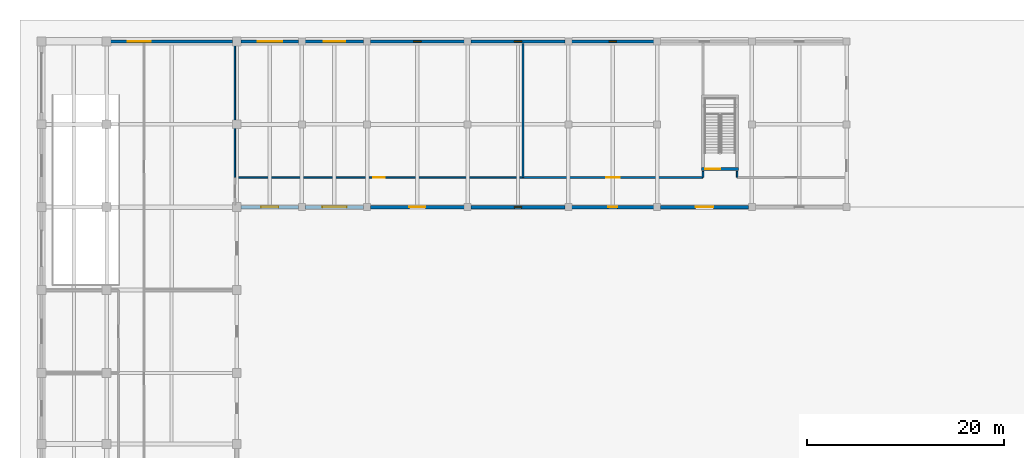
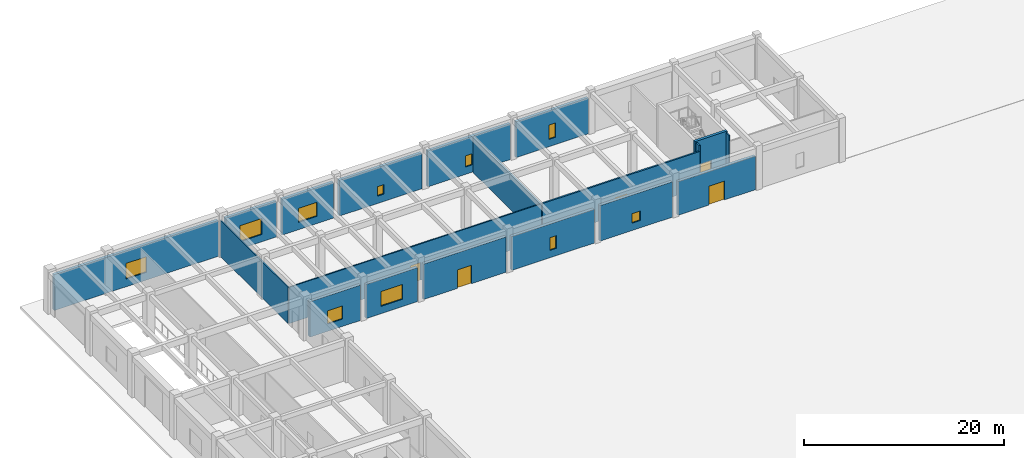
# One storey, part 54 of 70: 19 walls, 10 windows, 5 doors, 15 openings.
"""IFC4 building model written with IfcOpenShell, lengths in metres."""

from ifc_helpers import new_model, si_unit, direction, frame, frame_2d, origin, place, context, subcontext, project, spatial, rectangle, extrude, material, layer, layer_set, type_object, element, fill, save


model = new_model("IFC4")

# Units and contexts
model_context = context("Model", 3, precision=1e-05, world=origin(), true_north=direction((0.0, 1.0)))
body_context = subcontext(model_context, "Body", "Model", "MODEL_VIEW")
ifc_project = project(units=[si_unit("LENGTHUNIT", "METRE"), si_unit("AREAUNIT", "SQUARE_METRE"), si_unit("VOLUMEUNIT", "CUBIC_METRE"), si_unit("PLANEANGLEUNIT", "RADIAN"), si_unit("MASSUNIT", "GRAM", prefix="KILO")], contexts=[model_context])

# Site, building, storey
site_placement = place(None, origin())
site = spatial("IfcSite", under=ifc_project, at=site_placement, CompositionType="ELEMENT")
building_placement = place(site_placement, origin())
building = spatial("IfcBuilding", under=site, at=building_placement, Name="Miralva Faculty of Natural Sciences", CompositionType="ELEMENT")
storey_placement = place(building_placement, origin())
storey = spatial("IfcBuildingStorey", under=building, at=storey_placement, Name="L00", CompositionType="ELEMENT", Elevation=0.0)

# Wall, opening, door
ifc_material_1 = material(Name="Concrete C40/50", Category="concrete")
ifc_layer_1 = layer(ifc_material_1, 0.300048828125, Name="WL-CW03")
ifc_layer_set_1 = layer_set([ifc_layer_1], Name="Concrete C40/50")
wall_type_1 = type_object("IfcWallType", Name="WL-CW03", PredefinedType="SHEAR", material=ifc_layer_set_1)
wall_1_placement = place(storey_placement, frame((69.89990234375, 104.050048828125, 0.0), z_axis=(0.0, 0.0, 1.0), x_axis=(1.0, 0.0, 0.0)))
wall_1 = element("IfcWall", 1, at=wall_1_placement, inside=storey, type_object=wall_type_1, Name="Core C5 shear wall south L00", PredefinedType="SHEAR", context=body_context, shape_type="SweptSolid", body=[
    extrude(rectangle(XDim=3.75, YDim=0.300048828125, at=frame_2d((1.875, 0.0))), origin(), (0.0, 0.0, 1.0), 5.179931640625),
])
opening_1_placement = place(wall_1_placement, frame((0.39990234375, 0.0, 0.0)))
opening_1 = element("IfcOpeningElement", 2, at=opening_1_placement, cuts=wall_1, Name="Opening D-11", PredefinedType="OPENING", context=body_context, shape_type="SweptSolid", body=[
    extrude(rectangle(XDim=1.5, YDim=2.199951171875, at=frame_2d((0.75, 1.10009765625))), frame((0.0, 0.159912109375, 0.0), z_axis=(0.0, -1.0, 0.0), x_axis=(1.0, 0.0, 0.0)), (0.0, 0.0, 1.0), 0.320068359375),
])
ifc_material_2 = material(Name="Galvanised steel", Category="steel")
door_type_1 = type_object("IfcDoorType", Name="DR-DI11", OperationType="DOUBLE_DOOR_SINGLE_SWING", PredefinedType="DOOR", material=ifc_material_2)
door_1_placement = place(opening_1_placement, frame((1.5, 0.0, 0.0), z_axis=(0.0, 0.0, 1.0), x_axis=(-1.0, 0.0, 0.0)))
door_1 = element("IfcDoor", 3, at=door_1_placement, inside=storey, type_object=door_type_1, Name="Protected exit stair door Core C5 L00", OperationType="DOUBLE_DOOR_SINGLE_SWING", OverallHeight=2.199951171875, OverallWidth=1.5, PredefinedType="DOOR", context=body_context, shape_type="SweptSolid", body=[
    extrude(rectangle(XDim=1.5, YDim=2.199951171875, at=frame_2d((0.75, 1.10009765625))), frame((0.0, 0.02490234375, 0.0), z_axis=(0.0, -1.0, 0.0), x_axis=(1.0, 0.0, 0.0)), (0.0, 0.0, 1.0), 0.050048828125),
])
fill(opening_1, door_1)

# Walls
ifc_material_3 = material(Name="Gypsum plasterboard")
ifc_layer_2 = layer(ifc_material_3, 0.179931640625, Name="WL-PT02")
ifc_layer_set_2 = layer_set([ifc_layer_2], Name="Gypsum plasterboard")
wall_type_2 = type_object("IfcWallType", Name="WL-PT02", PredefinedType="PARTITIONING", material=ifc_layer_set_2)
wall_2_placement = place(storey_placement, frame((51.800048828125, 103.22998046875, 0.0), z_axis=(0.0, 0.0, 1.0), x_axis=(0.0, 1.0, 0.0)))
element("IfcWall", 4, at=wall_2_placement, inside=storey, type_object=wall_type_2, Name="Interior partition PT-02 L00-144", PredefinedType="PARTITIONING", context=body_context, shape_type="SweptSolid", body=[
    extrude(rectangle(XDim=13.5400390625, YDim=0.179931640625, at=frame_2d((6.77001953125, 0.0))), origin(), (0.0, 0.0, 1.0), 4.31494140625),
])
wall_3_placement = place(storey_placement, frame((70.050048828125, 103.22998046875, 0.0), z_axis=(0.0, 0.0, 1.0), x_axis=(0.0, 1.0, 0.0)))
element("IfcWall", 5, at=wall_3_placement, inside=storey, type_object=wall_type_2, Name="Interior partition PT-02 L00-147", PredefinedType="PARTITIONING", context=body_context, shape_type="SweptSolid", body=[
    extrude(rectangle(XDim=0.590087890625, YDim=0.179931640625, at=frame_2d((0.294921875, 0.0))), origin(), (0.0, 0.0, 1.0), 5.080078125),
])

# Wall, opening, door
wall_4_placement = place(storey_placement, frame((51.830078125, 103.199951171875, 0.0), z_axis=(0.0, 0.0, 1.0), x_axis=(1.0, 0.0, 0.0)))
wall_4 = element("IfcWall", 6, at=wall_4_placement, inside=storey, type_object=wall_type_2, Name="Interior partition PT-02 L00-148", PredefinedType="PARTITIONING", context=body_context, shape_type="SweptSolid", body=[
    extrude(rectangle(XDim=18.18994140625, YDim=0.179931640625, at=frame_2d((9.094970703125, 0.0))), origin(), (0.0, 0.0, 1.0), 4.425048828125),
])
opening_2_placement = place(wall_4_placement, frame((8.39501953125, 0.0, 0.0)))
opening_2 = element("IfcOpeningElement", 7, at=opening_2_placement, cuts=wall_4, Name="Opening D-14", PredefinedType="OPENING", context=body_context, shape_type="SweptSolid", body=[
    extrude(rectangle(XDim=1.39990234375, YDim=2.199951171875, at=frame_2d((0.699951171875, 1.10009765625))), frame((0.0, 0.099853515625, 0.0), z_axis=(0.0, -1.0, 0.0), x_axis=(1.0, 0.0, 0.0)), (0.0, 0.0, 1.0), 0.199951171875),
])
door_type_2 = type_object("IfcDoorType", Name="DR-DI14", OperationType="DOUBLE_DOOR_SINGLE_SWING", PredefinedType="DOOR", material=ifc_material_2)
door_2_placement = place(opening_2_placement, origin())
door_2 = element("IfcDoor", 8, at=door_2_placement, inside=storey, type_object=door_type_2, Name="Interior door D-14 L00-56", OperationType="DOUBLE_DOOR_SINGLE_SWING", OverallHeight=2.199951171875, OverallWidth=1.39990234375, PredefinedType="DOOR", context=body_context, shape_type="SweptSolid", body=[
    extrude(rectangle(XDim=1.39990234375, YDim=2.199951171875, at=frame_2d((0.699951171875, 1.10009765625))), frame((0.0, 0.02490234375, 0.0), z_axis=(0.0, -1.0, 0.0), x_axis=(1.0, 0.0, 0.0)), (0.0, 0.0, 1.0), 0.050048828125),
])
fill(opening_2, door_2)

# Wall
ifc_layer_3 = layer(ifc_material_3, 0.139892578125, Name="WL-PT04")
ifc_layer_set_3 = layer_set([ifc_layer_3], Name="Gypsum plasterboard")
wall_type_3 = type_object("IfcWallType", Name="WL-PT04", PredefinedType="PARTITIONING", material=ifc_layer_set_3)
wall_5_placement = place(storey_placement, frame((22.60009765625, 103.22998046875, 0.0), z_axis=(0.0, 0.0, 1.0), x_axis=(0.0, 1.0, 0.0)))
element("IfcWall", 9, at=wall_5_placement, inside=storey, type_object=wall_type_3, Name="Interior partition PT-04 L00-142", PredefinedType="PARTITIONING", context=body_context, shape_type="SweptSolid", body=[
    extrude(rectangle(XDim=13.5400390625, YDim=0.139892578125, at=frame_2d((6.77001953125, 0.0))), origin(), (0.0, 0.0, 1.0), 4.425048828125),
])

# Wall, opening, door
wall_6_placement = place(storey_placement, frame((22.6298828125, 103.199951171875, 0.0), z_axis=(0.0, 0.0, 1.0), x_axis=(1.0, 0.0, 0.0)))
wall_6 = element("IfcWall", 10, at=wall_6_placement, inside=storey, type_object=wall_type_3, Name="Interior partition PT-04 L00-145", PredefinedType="PARTITIONING", context=body_context, shape_type="SweptSolid", body=[
    extrude(rectangle(XDim=29.14013671875, YDim=0.139892578125, at=frame_2d((14.570068359375, 0.0))), origin(), (0.0, 0.0, 1.0), 4.425048828125),
])
opening_3_placement = place(wall_6_placement, frame((13.9951171875, 0.0, 0.0)))
opening_3 = element("IfcOpeningElement", 11, at=opening_3_placement, cuts=wall_6, Name="Opening D-24", PredefinedType="OPENING", context=body_context, shape_type="SweptSolid", body=[
    extrude(rectangle(XDim=1.14990234375, YDim=2.14990234375, at=frame_2d((0.574951171875, 1.074951171875))), frame((0.0, 0.079833984375, 0.0), z_axis=(0.0, -1.0, 0.0), x_axis=(1.0, 0.0, 0.0)), (0.0, 0.0, 1.0), 0.159912109375),
])
ifc_material_4 = material(Name="Anodised aluminium", Category="aluminium")
door_type_3 = type_object("IfcDoorType", Name="DR-DI24", OperationType="NOTDEFINED", PredefinedType="DOOR", material=ifc_material_4)
door_3_placement = place(opening_3_placement, origin())
door_3 = element("IfcDoor", 12, at=door_3_placement, inside=storey, type_object=door_type_3, Name="Interior door D-24 L00-55", OperationType="SINGLE_SWING_RIGHT", OverallHeight=2.14990234375, OverallWidth=1.14990234375, PredefinedType="DOOR", context=body_context, shape_type="SweptSolid", body=[
    extrude(rectangle(XDim=1.14990234375, YDim=2.14990234375, at=frame_2d((0.574951171875, 1.074951171875))), frame((0.0, 0.02490234375, 0.0), z_axis=(0.0, -1.0, 0.0), x_axis=(1.0, 0.0, 0.0)), (0.0, 0.0, 1.0), 0.050048828125),
])
fill(opening_3, door_3)

# Wall
wall_7_placement = place(storey_placement, frame((73.5, 103.22998046875, 0.0), z_axis=(0.0, 0.0, 1.0), x_axis=(0.0, 1.0, 0.0)))
element("IfcWall", 13, at=wall_7_placement, inside=storey, type_object=wall_type_3, Name="Interior partition PT-04 L00-150", PredefinedType="PARTITIONING", context=body_context, shape_type="SweptSolid", body=[
    extrude(rectangle(XDim=0.590087890625, YDim=0.139892578125, at=frame_2d((0.294921875, 0.0))), origin(), (0.0, 0.0, 1.0), 5.080078125),
])

# Wall, opening, window
ifc_material_5 = material(Name="Precast concrete C40/50", Category="concrete")
ifc_layer_4 = layer(ifc_material_5, 0.320068359375, Name="WL-WT02")
ifc_layer_set_4 = layer_set([ifc_layer_4], Name="Precast concrete C40/50")
wall_type_4 = type_object("IfcWallType", Name="WL-WT02", PredefinedType="SOLIDWALL", material=ifc_layer_set_4)
wall_8_placement = place(storey_placement, frame((3.43505859375, 117.0, 0.0), z_axis=(0.0, 0.0, 1.0), x_axis=(1.0, 0.0, 0.0)))
wall_8 = element("IfcWall", 14, at=wall_8_placement, inside=storey, type_object=wall_type_4, Name="Exterior wall L00-160", PredefinedType="SOLIDWALL", context=body_context, shape_type="SweptSolid", body=[
    extrude(rectangle(XDim=18.929931640625, YDim=0.320068359375, at=frame_2d((9.46484375, 0.0))), origin(), (0.0, 0.0, 1.0), 4.375),
])
opening_4_placement = place(wall_8_placement, frame((8.2900390625, 0.0, 0.949951171875)))
opening_4 = element("IfcOpeningElement", 15, at=opening_4_placement, cuts=wall_8, Name="Opening W-30", PredefinedType="OPENING", context=body_context, shape_type="SweptSolid", body=[
    extrude(rectangle(XDim=2.35009765625, YDim=1.89990234375, at=frame_2d((1.175048828125, 0.949951171875))), frame((0.0, 0.169921875, 0.0), z_axis=(0.0, -1.0, 0.0), x_axis=(1.0, 0.0, 0.0)), (0.0, 0.0, 1.0), 0.340087890625),
])
ifc_material_6 = material(Name="Laminated solar-control glass", Category="glass")
window_type_1 = type_object("IfcWindowType", Name="WN-W30", PartitioningType="DOUBLE_PANEL_VERTICAL", PredefinedType="WINDOW", material=ifc_material_6)
window_1_placement = place(opening_4_placement, origin())
window_1 = element("IfcWindow", 16, at=window_1_placement, inside=storey, type_object=window_type_1, Name="Window W-30 L00-99", OverallHeight=1.89990234375, OverallWidth=2.35009765625, PartitioningType="DOUBLE_PANEL_VERTICAL", PredefinedType="WINDOW", context=body_context, shape_type="SweptSolid", body=[
    extrude(rectangle(XDim=2.35009765625, YDim=1.89990234375, at=frame_2d((1.175048828125, 0.949951171875))), frame((0.0, 0.030029296875, 0.0), z_axis=(0.0, -1.0, 0.0), x_axis=(1.0, 0.0, 0.0)), (0.0, 0.0, 1.0), 0.06005859375),
])
fill(opening_4, window_1)

wall_9_placement = place(storey_placement, frame((23.235107421875, 117.0, 0.0), z_axis=(0.0, 0.0, 1.0), x_axis=(1.0, 0.0, 0.0)))
wall_9 = element("IfcWall", 17, at=wall_9_placement, inside=storey, type_object=wall_type_4, Name="Exterior wall L00-161", PredefinedType="SOLIDWALL", context=body_context, shape_type="SweptSolid", body=[
    extrude(rectangle(XDim=5.829833984375, YDim=0.320068359375, at=frame_2d((2.9150390625, 0.0))), origin(), (0.0, 0.0, 1.0), 4.375),
])
opening_5_placement = place(wall_9_placement, frame((1.6650390625, 0.0, 0.89990234375)))
opening_5 = element("IfcOpeningElement", 18, at=opening_5_placement, cuts=wall_9, Name="Opening W-31", PredefinedType="OPENING", context=body_context, shape_type="SweptSolid", body=[
    extrude(rectangle(XDim=2.5, YDim=1.949951171875, at=frame_2d((1.25, 0.97509765625))), frame((0.0, 0.169921875, 0.0), z_axis=(0.0, -1.0, 0.0), x_axis=(1.0, 0.0, 0.0)), (0.0, 0.0, 1.0), 0.340087890625),
])
window_type_2 = type_object("IfcWindowType", Name="WN-W31", PartitioningType="DOUBLE_PANEL_VERTICAL", PredefinedType="WINDOW", material=ifc_material_6)
window_2_placement = place(opening_5_placement, origin())
window_2 = element("IfcWindow", 19, at=window_2_placement, inside=storey, type_object=window_type_2, Name="Window W-31 L00-100", OverallHeight=1.949951171875, OverallWidth=2.5, PartitioningType="DOUBLE_PANEL_VERTICAL", PredefinedType="WINDOW", context=body_context, shape_type="SweptSolid", body=[
    extrude(rectangle(XDim=2.5, YDim=1.949951171875, at=frame_2d((1.25, 0.97509765625))), frame((0.0, 0.030029296875, 0.0), z_axis=(0.0, -1.0, 0.0), x_axis=(1.0, 0.0, 0.0)), (0.0, 0.0, 1.0), 0.06005859375),
])
fill(opening_5, window_2)

wall_10_placement = place(storey_placement, frame((23.235107421875, 100.199951171875, 0.0), z_axis=(0.0, 0.0, 1.0), x_axis=(1.0, 0.0, 0.0)))
wall_10 = element("IfcWall", 20, at=wall_10_placement, inside=storey, type_object=wall_type_4, Name="Exterior wall L00-162", PredefinedType="SOLIDWALL", context=body_context, shape_type="SweptSolid", body=[
    extrude(rectangle(XDim=5.829833984375, YDim=0.320068359375, at=frame_2d((2.9150390625, 0.0))), origin(), (0.0, 0.0, 1.0), 4.324951171875),
])
opening_6_placement = place(wall_10_placement, frame((2.0400390625, 0.0, 0.89990234375)))
opening_6 = element("IfcOpeningElement", 21, at=opening_6_placement, cuts=wall_10, Name="Opening W-38", PredefinedType="OPENING", context=body_context, shape_type="SweptSolid", body=[
    extrude(rectangle(XDim=1.75, YDim=1.60009765625, at=frame_2d((0.875, 0.800048828125))), frame((0.0, 0.169921875, 0.0), z_axis=(0.0, -1.0, 0.0), x_axis=(1.0, 0.0, 0.0)), (0.0, 0.0, 1.0), 0.340087890625),
])
window_type_3 = type_object("IfcWindowType", Name="WN-W38", PartitioningType="DOUBLE_PANEL_VERTICAL", PredefinedType="WINDOW", material=ifc_material_6)
window_3_placement = place(opening_6_placement, frame((1.75, 0.0, 0.0), z_axis=(0.0, 0.0, 1.0), x_axis=(-1.0, 0.0, 0.0)))
window_3 = element("IfcWindow", 22, at=window_3_placement, inside=storey, type_object=window_type_3, Name="Window W-38 L00-101", OverallHeight=1.60009765625, OverallWidth=1.75, PartitioningType="DOUBLE_PANEL_VERTICAL", PredefinedType="WINDOW", context=body_context, shape_type="SweptSolid", body=[
    extrude(rectangle(XDim=1.75, YDim=1.60009765625, at=frame_2d((0.875, 0.800048828125))), frame((0.0, 0.030029296875, 0.0), z_axis=(0.0, -1.0, 0.0), x_axis=(1.0, 0.0, 0.0)), (0.0, 0.0, 1.0), 0.06005859375),
])
fill(opening_6, window_3)

wall_11_placement = place(storey_placement, frame((29.735107421875, 117.0, 0.0), z_axis=(0.0, 0.0, 1.0), x_axis=(1.0, 0.0, 0.0)))
wall_11 = element("IfcWall", 23, at=wall_11_placement, inside=storey, type_object=wall_type_4, Name="Exterior wall L00-163", PredefinedType="SOLIDWALL", context=body_context, shape_type="SweptSolid", body=[
    extrude(rectangle(XDim=5.929931640625, YDim=0.320068359375, at=frame_2d((2.96484375, 0.0))), origin(), (0.0, 0.0, 1.0), 4.375),
])
opening_7_placement = place(wall_11_placement, frame((1.889892578125, 0.0, 0.89990234375)))
opening_7 = element("IfcOpeningElement", 24, at=opening_7_placement, cuts=wall_11, Name="Opening W-39", PredefinedType="OPENING", context=body_context, shape_type="SweptSolid", body=[
    extrude(rectangle(XDim=2.14990234375, YDim=1.699951171875, at=frame_2d((1.074951171875, 0.85009765625))), frame((0.0, 0.169921875, 0.0), z_axis=(0.0, -1.0, 0.0), x_axis=(1.0, 0.0, 0.0)), (0.0, 0.0, 1.0), 0.340087890625),
])
window_type_4 = type_object("IfcWindowType", Name="WN-W39", PartitioningType="DOUBLE_PANEL_VERTICAL", PredefinedType="WINDOW", material=ifc_material_6)
window_4_placement = place(opening_7_placement, origin())
window_4 = element("IfcWindow", 25, at=window_4_placement, inside=storey, type_object=window_type_4, Name="Window W-39 L00-102", OverallHeight=1.699951171875, OverallWidth=2.14990234375, PartitioningType="DOUBLE_PANEL_VERTICAL", PredefinedType="WINDOW", context=body_context, shape_type="SweptSolid", body=[
    extrude(rectangle(XDim=2.14990234375, YDim=1.699951171875, at=frame_2d((1.074951171875, 0.85009765625))), frame((0.0, 0.030029296875, 0.0), z_axis=(0.0, -1.0, 0.0), x_axis=(1.0, 0.0, 0.0)), (0.0, 0.0, 1.0), 0.06005859375),
])
fill(opening_7, window_4)

wall_12_placement = place(storey_placement, frame((29.735107421875, 100.199951171875, 0.0), z_axis=(0.0, 0.0, 1.0), x_axis=(1.0, 0.0, 0.0)))
wall_12 = element("IfcWall", 26, at=wall_12_placement, inside=storey, type_object=wall_type_4, Name="Exterior wall L00-164", PredefinedType="SOLIDWALL", context=body_context, shape_type="SweptSolid", body=[
    extrude(rectangle(XDim=5.929931640625, YDim=0.320068359375, at=frame_2d((2.96484375, 0.0))), origin(), (0.0, 0.0, 1.0), 4.155029296875),
])
opening_8_placement = place(wall_12_placement, frame((1.739990234375, 0.0, 0.89990234375)))
opening_8 = element("IfcOpeningElement", 27, at=opening_8_placement, cuts=wall_12, Name="Opening W-40", PredefinedType="OPENING", context=body_context, shape_type="SweptSolid", body=[
    extrude(rectangle(XDim=2.449951171875, YDim=1.800048828125, at=frame_2d((1.22509765625, 0.89990234375))), frame((0.0, 0.169921875, 0.0), z_axis=(0.0, -1.0, 0.0), x_axis=(1.0, 0.0, 0.0)), (0.0, 0.0, 1.0), 0.340087890625),
])
window_type_5 = type_object("IfcWindowType", Name="WN-W40", PartitioningType="DOUBLE_PANEL_VERTICAL", PredefinedType="WINDOW", material=ifc_material_6)
window_5_placement = place(opening_8_placement, frame((2.449951171875, 0.0, 0.0), z_axis=(0.0, 0.0, 1.0), x_axis=(-1.0, 0.0, 0.0)))
window_5 = element("IfcWindow", 28, at=window_5_placement, inside=storey, type_object=window_type_5, Name="Window W-40 L00-103", OverallHeight=1.800048828125, OverallWidth=2.449951171875, PartitioningType="DOUBLE_PANEL_VERTICAL", PredefinedType="WINDOW", context=body_context, shape_type="SweptSolid", body=[
    extrude(rectangle(XDim=2.449951171875, YDim=1.800048828125, at=frame_2d((1.22509765625, 0.89990234375))), frame((0.0, 0.030029296875, 0.0), z_axis=(0.0, -1.0, 0.0), x_axis=(1.0, 0.0, 0.0)), (0.0, 0.0, 1.0), 0.06005859375),
])
fill(opening_8, window_5)

wall_13_placement = place(storey_placement, frame((36.3349609375, 117.0, 0.0), z_axis=(0.0, 0.0, 1.0), x_axis=(1.0, 0.0, 0.0)))
wall_13 = element("IfcWall", 29, at=wall_13_placement, inside=storey, type_object=wall_type_4, Name="Exterior wall L00-165", PredefinedType="SOLIDWALL", context=body_context, shape_type="SweptSolid", body=[
    extrude(rectangle(XDim=9.530029296875, YDim=0.320068359375, at=frame_2d((4.76513671875, 0.0))), origin(), (0.0, 0.0, 1.0), 4.375),
])
opening_9_placement = place(wall_13_placement, frame((4.389892578125, 0.0, 0.89990234375)))
opening_9 = element("IfcOpeningElement", 30, at=opening_9_placement, cuts=wall_13, Name="Opening W-41", PredefinedType="OPENING", context=body_context, shape_type="SweptSolid", body=[
    extrude(rectangle(XDim=0.75, YDim=1.14990234375, at=frame_2d((0.375, 0.574951171875))), frame((0.0, 0.169921875, 0.0), z_axis=(0.0, -1.0, 0.0), x_axis=(1.0, 0.0, 0.0)), (0.0, 0.0, 1.0), 0.340087890625),
])
window_type_6 = type_object("IfcWindowType", Name="WN-W41", PartitioningType="DOUBLE_PANEL_VERTICAL", PredefinedType="WINDOW", material=ifc_material_6)
window_6_placement = place(opening_9_placement, origin())
window_6 = element("IfcWindow", 31, at=window_6_placement, inside=storey, type_object=window_type_6, Name="Window W-41 L00-104", OverallHeight=1.14990234375, OverallWidth=0.75, PartitioningType="DOUBLE_PANEL_VERTICAL", PredefinedType="WINDOW", context=body_context, shape_type="SweptSolid", body=[
    extrude(rectangle(XDim=0.75, YDim=1.14990234375, at=frame_2d((0.375, 0.574951171875))), frame((0.0, 0.030029296875, 0.0), z_axis=(0.0, -1.0, 0.0), x_axis=(1.0, 0.0, 0.0)), (0.0, 0.0, 1.0), 0.06005859375),
])
fill(opening_9, window_6)

# Wall, opening, door
wall_14_placement = place(storey_placement, frame((36.3349609375, 100.199951171875, 0.0), z_axis=(0.0, 0.0, 1.0), x_axis=(1.0, 0.0, 0.0)))
wall_14 = element("IfcWall", 32, at=wall_14_placement, inside=storey, type_object=wall_type_4, Name="Exterior wall L00-166", PredefinedType="SOLIDWALL", context=body_context, shape_type="SweptSolid", body=[
    extrude(rectangle(XDim=9.530029296875, YDim=0.320068359375, at=frame_2d((4.76513671875, 0.0))), origin(), (0.0, 0.0, 1.0), 4.324951171875),
])
opening_10_placement = place(wall_14_placement, frame((3.965087890625, 0.0, 0.0)))
opening_10 = element("IfcOpeningElement", 33, at=opening_10_placement, cuts=wall_14, Name="Opening D-04", PredefinedType="OPENING", context=body_context, shape_type="SweptSolid", body=[
    extrude(rectangle(XDim=1.60009765625, YDim=2.25, at=frame_2d((0.800048828125, 1.125))), frame((0.0, 0.169921875, 0.0), z_axis=(0.0, -1.0, 0.0), x_axis=(1.0, 0.0, 0.0)), (0.0, 0.0, 1.0), 0.340087890625),
])
door_type_4 = type_object("IfcDoorType", Name="DR-DE04", OperationType="DOUBLE_DOOR_SINGLE_SWING", PredefinedType="DOOR", material=ifc_material_2)
door_4_placement = place(opening_10_placement, frame((1.60009765625, 0.0, 0.0), z_axis=(0.0, 0.0, 1.0), x_axis=(-1.0, 0.0, 0.0)))
door_4 = element("IfcDoor", 34, at=door_4_placement, inside=storey, type_object=door_type_4, Name="Exterior pedestrian exit door D-04 L00-18", OperationType="DOUBLE_DOOR_SINGLE_SWING", OverallHeight=2.25, OverallWidth=1.60009765625, PredefinedType="DOOR", context=body_context, shape_type="SweptSolid", body=[
    extrude(rectangle(XDim=1.60009765625, YDim=2.25, at=frame_2d((0.800048828125, 1.125))), frame((0.0, 0.02490234375, 0.0), z_axis=(0.0, -1.0, 0.0), x_axis=(1.0, 0.0, 0.0)), (0.0, 0.0, 1.0), 0.050048828125),
])
fill(opening_10, door_4)

# Wall, opening, window
wall_15_placement = place(storey_placement, frame((46.534912109375, 117.0, 0.0), z_axis=(0.0, 0.0, 1.0), x_axis=(1.0, 0.0, 0.0)))
wall_15 = element("IfcWall", 35, at=wall_15_placement, inside=storey, type_object=wall_type_4, Name="Exterior wall L00-167", PredefinedType="SOLIDWALL", context=body_context, shape_type="SweptSolid", body=[
    extrude(rectangle(XDim=9.530029296875, YDim=0.320068359375, at=frame_2d((4.76513671875, 0.0))), origin(), (0.0, 0.0, 1.0), 4.375),
])
opening_11_placement = place(wall_15_placement, frame((4.389892578125, 0.0, 0.89990234375)))
opening_11 = element("IfcOpeningElement", 36, at=opening_11_placement, cuts=wall_15, Name="Opening W-42", PredefinedType="OPENING", context=body_context, shape_type="SweptSolid", body=[
    extrude(rectangle(XDim=0.75, YDim=1.35009765625, at=frame_2d((0.375, 0.675048828125))), frame((0.0, 0.169921875, 0.0), z_axis=(0.0, -1.0, 0.0), x_axis=(1.0, 0.0, 0.0)), (0.0, 0.0, 1.0), 0.340087890625),
])
window_type_7 = type_object("IfcWindowType", Name="WN-W42", PartitioningType="DOUBLE_PANEL_VERTICAL", PredefinedType="WINDOW", material=ifc_material_6)
window_7_placement = place(opening_11_placement, origin())
window_7 = element("IfcWindow", 37, at=window_7_placement, inside=storey, type_object=window_type_7, Name="Window W-42 L00-105", OverallHeight=1.35009765625, OverallWidth=0.75, PartitioningType="DOUBLE_PANEL_VERTICAL", PredefinedType="WINDOW", context=body_context, shape_type="SweptSolid", body=[
    extrude(rectangle(XDim=0.75, YDim=1.35009765625, at=frame_2d((0.375, 0.675048828125))), frame((0.0, 0.030029296875, 0.0), z_axis=(0.0, -1.0, 0.0), x_axis=(1.0, 0.0, 0.0)), (0.0, 0.0, 1.0), 0.06005859375),
])
fill(opening_11, window_7)

wall_16_placement = place(storey_placement, frame((46.534912109375, 100.199951171875, 0.0), z_axis=(0.0, 0.0, 1.0), x_axis=(1.0, 0.0, 0.0)))
wall_16 = element("IfcWall", 38, at=wall_16_placement, inside=storey, type_object=wall_type_4, Name="Exterior wall L00-168", PredefinedType="SOLIDWALL", context=body_context, shape_type="SweptSolid", body=[
    extrude(rectangle(XDim=9.530029296875, YDim=0.320068359375, at=frame_2d((4.76513671875, 0.0))), origin(), (0.0, 0.0, 1.0), 4.114990234375),
])
opening_12_placement = place(wall_16_placement, frame((4.389892578125, 0.0, 0.89990234375)))
opening_12 = element("IfcOpeningElement", 39, at=opening_12_placement, cuts=wall_16, Name="Opening W-43", PredefinedType="OPENING", context=body_context, shape_type="SweptSolid", body=[
    extrude(rectangle(XDim=0.75, YDim=1.550048828125, at=frame_2d((0.375, 0.77490234375))), frame((0.0, 0.169921875, 0.0), z_axis=(0.0, -1.0, 0.0), x_axis=(1.0, 0.0, 0.0)), (0.0, 0.0, 1.0), 0.340087890625),
])
window_type_8 = type_object("IfcWindowType", Name="WN-W43", PartitioningType="DOUBLE_PANEL_VERTICAL", PredefinedType="WINDOW", material=ifc_material_6)
window_8_placement = place(opening_12_placement, frame((0.75, 0.0, 0.0), z_axis=(0.0, 0.0, 1.0), x_axis=(-1.0, 0.0, 0.0)))
window_8 = element("IfcWindow", 40, at=window_8_placement, inside=storey, type_object=window_type_8, Name="Window W-43 L00-106", OverallHeight=1.550048828125, OverallWidth=0.75, PartitioningType="DOUBLE_PANEL_VERTICAL", PredefinedType="WINDOW", context=body_context, shape_type="SweptSolid", body=[
    extrude(rectangle(XDim=0.75, YDim=1.550048828125, at=frame_2d((0.375, 0.77490234375))), frame((0.0, 0.030029296875, 0.0), z_axis=(0.0, -1.0, 0.0), x_axis=(1.0, 0.0, 0.0)), (0.0, 0.0, 1.0), 0.06005859375),
])
fill(opening_12, window_8)

wall_17_placement = place(storey_placement, frame((56.735107421875, 117.0, 0.0), z_axis=(0.0, 0.0, 1.0), x_axis=(1.0, 0.0, 0.0)))
wall_17 = element("IfcWall", 41, at=wall_17_placement, inside=storey, type_object=wall_type_4, Name="Exterior wall L00-169", PredefinedType="SOLIDWALL", context=body_context, shape_type="SweptSolid", body=[
    extrude(rectangle(XDim=8.329833984375, YDim=0.320068359375, at=frame_2d((4.1650390625, 0.0))), origin(), (0.0, 0.0, 1.0), 4.375),
])
opening_13_placement = place(wall_17_placement, frame((3.7900390625, 0.0, 0.89990234375)))
opening_13 = element("IfcOpeningElement", 42, at=opening_13_placement, cuts=wall_17, Name="Opening W-44", PredefinedType="OPENING", context=body_context, shape_type="SweptSolid", body=[
    extrude(rectangle(XDim=0.75, YDim=1.75, at=frame_2d((0.375, 0.875))), frame((0.0, 0.169921875, 0.0), z_axis=(0.0, -1.0, 0.0), x_axis=(1.0, 0.0, 0.0)), (0.0, 0.0, 1.0), 0.340087890625),
])
window_type_9 = type_object("IfcWindowType", Name="WN-W44", PartitioningType="DOUBLE_PANEL_VERTICAL", PredefinedType="WINDOW", material=ifc_material_6)
window_9_placement = place(opening_13_placement, origin())
window_9 = element("IfcWindow", 43, at=window_9_placement, inside=storey, type_object=window_type_9, Name="Window W-44 L00-107", OverallHeight=1.75, OverallWidth=0.75, PartitioningType="DOUBLE_PANEL_VERTICAL", PredefinedType="WINDOW", context=body_context, shape_type="SweptSolid", body=[
    extrude(rectangle(XDim=0.75, YDim=1.75, at=frame_2d((0.375, 0.875))), frame((0.0, 0.030029296875, 0.0), z_axis=(0.0, -1.0, 0.0), x_axis=(1.0, 0.0, 0.0)), (0.0, 0.0, 1.0), 0.06005859375),
])
fill(opening_13, window_9)

wall_18_placement = place(storey_placement, frame((56.735107421875, 100.199951171875, 0.0), z_axis=(0.0, 0.0, 1.0), x_axis=(1.0, 0.0, 0.0)))
wall_18 = element("IfcWall", 44, at=wall_18_placement, inside=storey, type_object=wall_type_4, Name="Exterior wall L00-170", PredefinedType="SOLIDWALL", context=body_context, shape_type="SweptSolid", body=[
    extrude(rectangle(XDim=8.329833984375, YDim=0.320068359375, at=frame_2d((4.1650390625, 0.0))), origin(), (0.0, 0.0, 1.0), 4.324951171875),
])
opening_14_placement = place(wall_18_placement, frame((3.68994140625, 0.0, 0.89990234375)))
opening_14 = element("IfcOpeningElement", 45, at=opening_14_placement, cuts=wall_18, Name="Opening W-45", PredefinedType="OPENING", context=body_context, shape_type="SweptSolid", body=[
    extrude(rectangle(XDim=0.949951171875, YDim=1.14990234375, at=frame_2d((0.47509765625, 0.574951171875))), frame((0.0, 0.169921875, 0.0), z_axis=(0.0, -1.0, 0.0), x_axis=(1.0, 0.0, 0.0)), (0.0, 0.0, 1.0), 0.340087890625),
])
window_type_10 = type_object("IfcWindowType", Name="WN-W45", PartitioningType="DOUBLE_PANEL_VERTICAL", PredefinedType="WINDOW", material=ifc_material_6)
window_10_placement = place(opening_14_placement, frame((0.949951171875, 0.0, 0.0), z_axis=(0.0, 0.0, 1.0), x_axis=(-1.0, 0.0, 0.0)))
window_10 = element("IfcWindow", 46, at=window_10_placement, inside=storey, type_object=window_type_10, Name="Window W-45 L00-108", OverallHeight=1.14990234375, OverallWidth=0.949951171875, PartitioningType="DOUBLE_PANEL_VERTICAL", PredefinedType="WINDOW", context=body_context, shape_type="SweptSolid", body=[
    extrude(rectangle(XDim=0.949951171875, YDim=1.14990234375, at=frame_2d((0.47509765625, 0.574951171875))), frame((0.0, 0.030029296875, 0.0), z_axis=(0.0, -1.0, 0.0), x_axis=(1.0, 0.0, 0.0)), (0.0, 0.0, 1.0), 0.06005859375),
])
fill(opening_14, window_10)

# Wall, opening, door
wall_19_placement = place(storey_placement, frame((65.735107421875, 100.199951171875, 0.0), z_axis=(0.0, 0.0, 1.0), x_axis=(1.0, 0.0, 0.0)))
wall_19 = element("IfcWall", 47, at=wall_19_placement, inside=storey, type_object=wall_type_4, Name="Exterior wall L00-172", PredefinedType="SOLIDWALL", context=body_context, shape_type="SweptSolid", body=[
    extrude(rectangle(XDim=8.929931640625, YDim=0.320068359375, at=frame_2d((4.46484375, 0.0))), origin(), (0.0, 0.0, 1.0), 4.094970703125),
])
opening_15_placement = place(wall_19_placement, frame((3.56494140625, 0.0, 0.0)))
opening_15 = element("IfcOpeningElement", 48, at=opening_15_placement, cuts=wall_19, Name="Opening D-03", PredefinedType="OPENING", context=body_context, shape_type="SweptSolid", body=[
    extrude(rectangle(XDim=1.800048828125, YDim=2.300048828125, at=frame_2d((0.89990234375, 1.14990234375))), frame((0.0, 0.169921875, 0.0), z_axis=(0.0, -1.0, 0.0), x_axis=(1.0, 0.0, 0.0)), (0.0, 0.0, 1.0), 0.340087890625),
])
door_type_5 = type_object("IfcDoorType", Name="DR-DE03", OperationType="DOUBLE_DOOR_SINGLE_SWING", PredefinedType="DOOR", material=ifc_material_2)
door_5_placement = place(opening_15_placement, frame((1.800048828125, 0.0, 0.0), z_axis=(0.0, 0.0, 1.0), x_axis=(-1.0, 0.0, 0.0)))
door_5 = element("IfcDoor", 49, at=door_5_placement, inside=storey, type_object=door_type_5, Name="Exterior pedestrian exit door D-03 L00-19", OperationType="DOUBLE_DOOR_SINGLE_SWING", OverallHeight=2.300048828125, OverallWidth=1.800048828125, PredefinedType="DOOR", context=body_context, shape_type="SweptSolid", body=[
    extrude(rectangle(XDim=1.800048828125, YDim=2.300048828125, at=frame_2d((0.89990234375, 1.14990234375))), frame((0.0, 0.02490234375, 0.0), z_axis=(0.0, -1.0, 0.0), x_axis=(1.0, 0.0, 0.0)), (0.0, 0.0, 1.0), 0.050048828125),
])
fill(opening_15, door_5)

save(model, "model.ifc")
